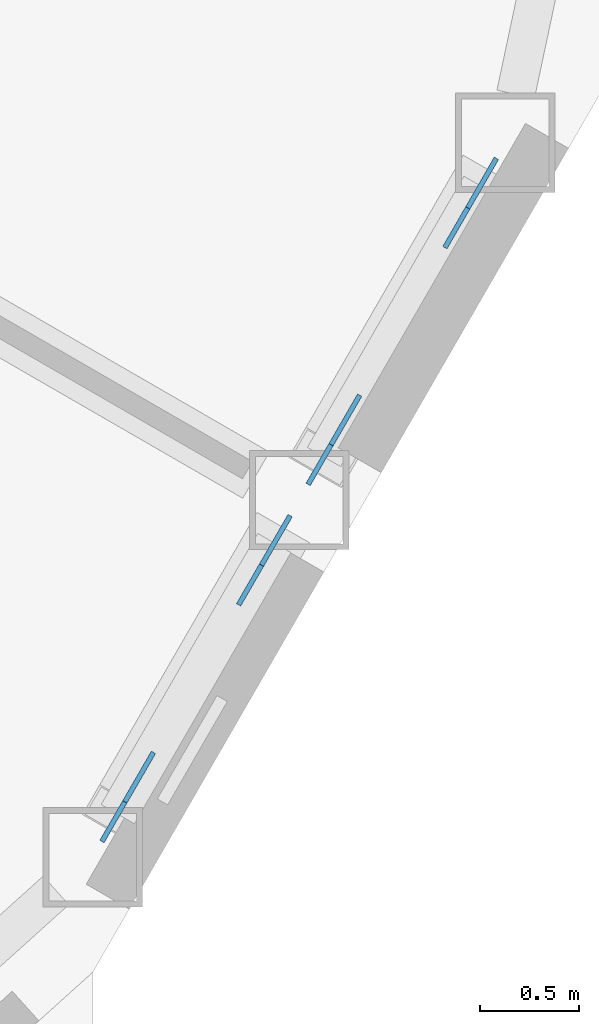
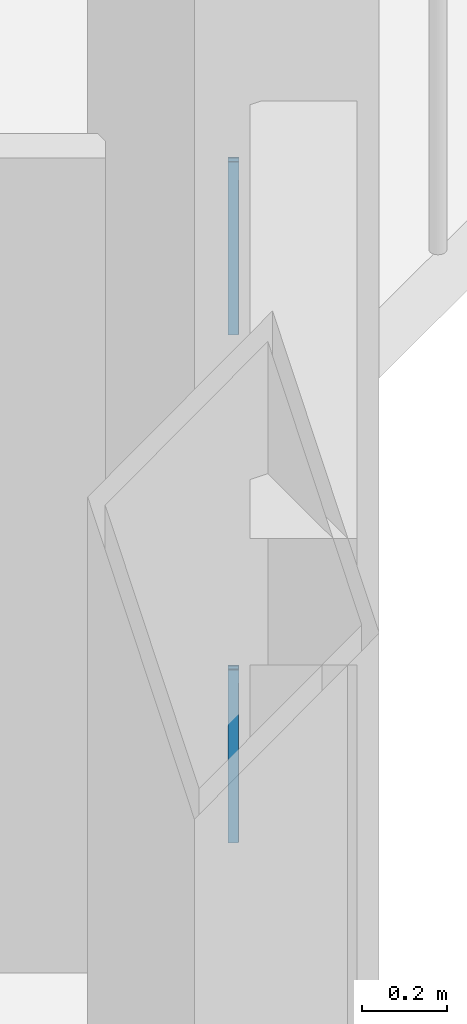
# One storey, part 20 of 26: 4 discrete accessories.
"""IFC4 building model written with IfcOpenShell, lengths in metres."""

from ifc_helpers import new_model, si_unit, direction, frame, origin, origin_2d, place, context, subcontext, project, spatial, rectangle, extrude, material, material_profile, profile_set, type_object, element, save


model = new_model("IFC4")

# Units and contexts
model_context = context("Model", 3, precision=1e-05, world=origin(), true_north=direction((0.0, 1.0)))
body_context = subcontext(model_context, "Body", "Model", "MODEL_VIEW")
ifc_project = project(units=[si_unit("LENGTHUNIT", "METRE"), si_unit("AREAUNIT", "SQUARE_METRE"), si_unit("VOLUMEUNIT", "CUBIC_METRE"), si_unit("PLANEANGLEUNIT", "RADIAN"), si_unit("MASSUNIT", "GRAM", prefix="KILO")], contexts=[model_context])

# Site, building, storey
site_placement = place(None, origin())
site = spatial("IfcSite", under=ifc_project, at=site_placement, CompositionType="ELEMENT")
building_placement = place(site_placement, origin())
building = spatial("IfcBuilding", under=site, at=building_placement, Name="Cormorant Prow Tower", CompositionType="ELEMENT")
storey_placement = place(building_placement, frame((0.0, 0.0, 371.199951171875)))
storey = spatial("IfcBuildingStorey", under=building, at=storey_placement, Name="L83", CompositionType="ELEMENT", Elevation=371.199951171875)

# Discrete accessories
ifc_material = material(Name="Structural steel ASTM A500 Gr C", Category="steel")
ifc_material_profile = material_profile(ifc_material, rectangle(XDim=0.02490234375, YDim=0.405029296875, at=origin_2d()), Name="Gusset plate 25x405")
ifc_profile_set = profile_set([ifc_material_profile], Name="Structural steel ASTM A500 Gr C")
discrete_accessory_type = type_object("IfcDiscreteAccessoryType", Name="Gusset plate 25x405", PredefinedType="BRACKET", material=ifc_profile_set)
discrete_accessory_1_placement = place(storey_placement, frame((26.7900390625, -16.037109375, 0.941162109375), z_axis=(0.411595697368, 0.712269842394, -0.568560158228), x_axis=(-0.865832418869, 0.500334110806, 0.0)))
element("IfcDiscreteAccessory", 1, at=discrete_accessory_1_placement, inside=storey, type_object=discrete_accessory_type, Name="Gusset plate GP3 L83.ESE00.g0", PredefinedType="BRACKET", context=body_context, shape_type="SweptSolid", body=[
    extrude(rectangle(XDim=0.02490234375, YDim=0.405029296875, at=origin_2d()), origin(), (0.0, 0.0, 1.0), 0.349853515625),
])
discrete_accessory_2_placement = place(storey_placement, frame((26.246826171875, -16.978271484375, 1.692626953125), z_axis=(-0.411432439557, -0.711987323368, 0.5690319842), x_axis=(0.865832418869, -0.500334110806, 0.0)))
element("IfcDiscreteAccessory", 2, at=discrete_accessory_2_placement, inside=storey, type_object=discrete_accessory_type, Name="Gusset plate GP3 L83.ESE00.g1", PredefinedType="BRACKET", context=body_context, shape_type="SweptSolid", body=[
    extrude(rectangle(XDim=0.02490234375, YDim=0.405029296875, at=origin_2d()), origin(), (0.0, 0.0, 1.0), 0.35009765625),
])
discrete_accessory_3_placement = place(storey_placement, frame((27.8271484375, -14.2412109375, 0.941162109375), z_axis=(0.411016012482, 0.712474276306, -0.568723344945), x_axis=(-0.866199709737, 0.499697971631, 0.0)))
element("IfcDiscreteAccessory", 3, at=discrete_accessory_3_placement, inside=storey, type_object=discrete_accessory_type, Name="Gusset plate GP3 L83.ESE01.g0", PredefinedType="BRACKET", context=body_context, shape_type="SweptSolid", body=[
    extrude(rectangle(XDim=0.02490234375, YDim=0.405029296875, at=origin_2d()), origin(), (0.0, 0.0, 1.0), 0.349853515625),
])
discrete_accessory_4_placement = place(storey_placement, frame((27.28369140625, -15.182373046875, 1.692626953125), z_axis=(-0.411432439557, -0.711987323368, 0.5690319842), x_axis=(0.865832418869, -0.500334110806, 0.0)))
element("IfcDiscreteAccessory", 4, at=discrete_accessory_4_placement, inside=storey, type_object=discrete_accessory_type, Name="Gusset plate GP3 L83.ESE01.g1", PredefinedType="BRACKET", context=body_context, shape_type="SweptSolid", body=[
    extrude(rectangle(XDim=0.02490234375, YDim=0.405029296875, at=origin_2d()), origin(), (0.0, 0.0, 1.0), 0.35009765625),
])

save(model, "model.ifc")
